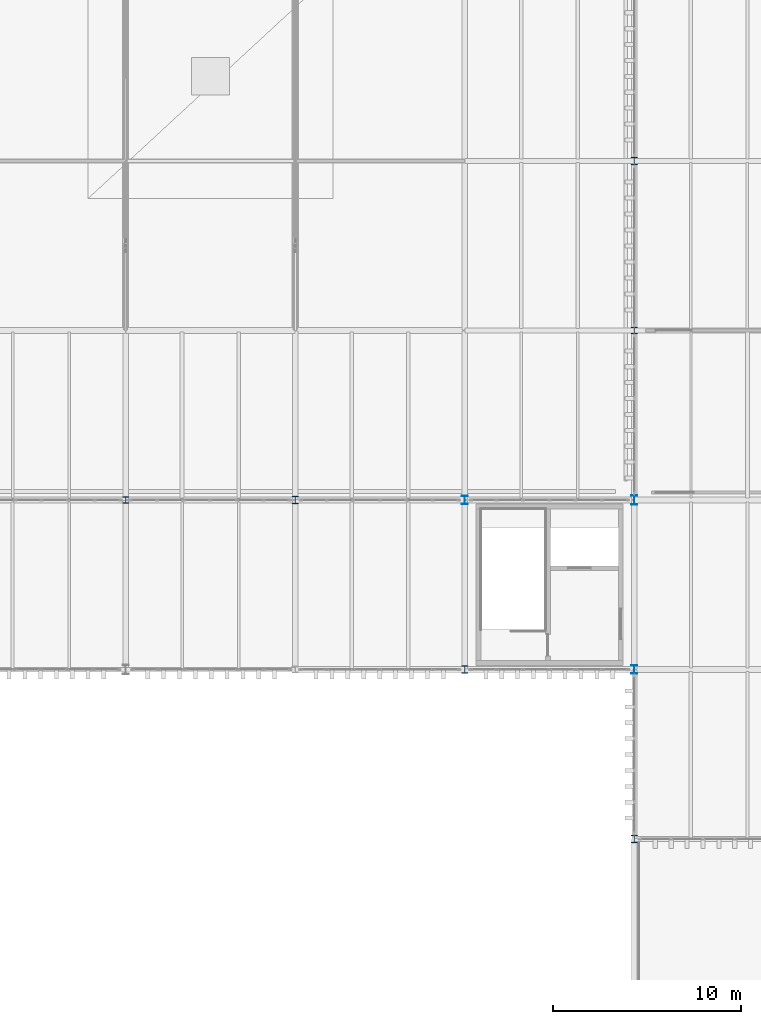
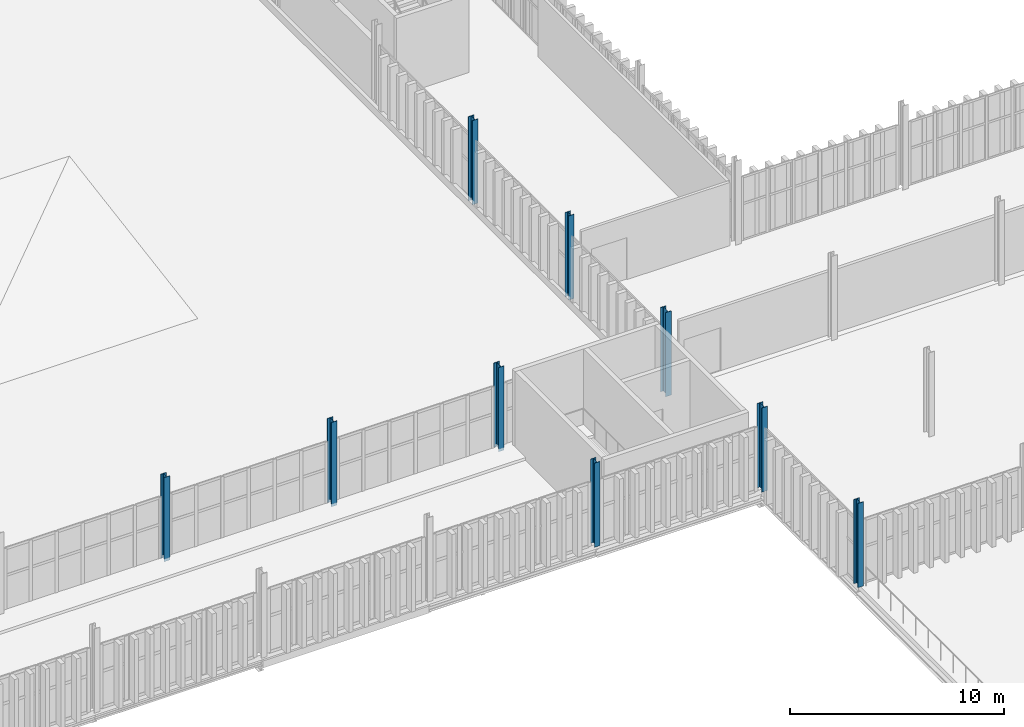
# One storey, part 6 of 196: 9 columns.
"""IFC4 building model written with IfcOpenShell, lengths in metres."""

from ifc_helpers import new_model, si_unit, direction, frame, origin, origin_2d, place, context, subcontext, project, spatial, i_section, extrude, material, material_profile, profile_set, type_object, element, save


model = new_model("IFC4")

# Units and contexts
model_context = context("Model", 3, precision=1e-05, world=origin(), true_north=direction((0.0, 1.0)))
body_context = subcontext(model_context, "Body", "Model", "MODEL_VIEW")
ifc_project = project(units=[si_unit("LENGTHUNIT", "METRE"), si_unit("AREAUNIT", "SQUARE_METRE"), si_unit("VOLUMEUNIT", "CUBIC_METRE"), si_unit("PLANEANGLEUNIT", "RADIAN"), si_unit("MASSUNIT", "GRAM", prefix="KILO")], contexts=[model_context])

# Site, building, storey
site_placement = place(None, origin())
site = spatial("IfcSite", under=ifc_project, at=site_placement, CompositionType="ELEMENT")
building_placement = place(site_placement, origin())
building = spatial("IfcBuilding", under=site, at=building_placement, Name="Barlavento Convention Centre", CompositionType="ELEMENT")
storey_placement = place(building_placement, frame((0.0, 0.0, 18.0)))
storey = spatial("IfcBuildingStorey", under=building, at=storey_placement, Name="L03", CompositionType="ELEMENT", Elevation=18.0)

# Columns
ifc_material = material(Name="Steel S355", Category="steel")
ifc_material_profile_1 = material_profile(ifc_material, i_section(OverallWidth=0.300048828125, OverallDepth=0.340087890625, WebThickness=0.011962890625, FlangeThickness=0.021484375, FilletRadius=0.027099609375, at=origin_2d()), Name="HEB 340")
ifc_profile_set_1 = profile_set([ifc_material_profile_1], Name="Steel S355")
column_type_1 = type_object("IfcColumnType", Name="STR-COL-HEB340", PredefinedType="COLUMN", material=ifc_profile_set_1)
for number, where, z_axis, x_axis, name in (
    (1, (99.0, 54.0, 0.0), (0.0, 0.0, 1.0), (1.0, 0.0, 0.0), "L03 column SC12"),
    (2, (126.0, 63.0, 0.0), (0.0, 0.0, 1.0), (1.0, 0.0, 0.0), "L03 column SC12"),
):
    element("IfcColumn", number, at=place(storey_placement, frame(where, z_axis=z_axis, x_axis=x_axis)), inside=storey, type_object=column_type_1, Name=name, PredefinedType="COLUMN", context=body_context, shape_type="SweptSolid", body=[
        extrude(i_section(OverallWidth=0.300048828125, OverallDepth=0.340087890625, WebThickness=0.011962890625, FlangeThickness=0.021484375, FilletRadius=0.027099609375, at=origin_2d()), origin(), (0.0, 0.0, 1.0), 4.800048828125),
    ])
ifc_material_profile_2 = material_profile(ifc_material, i_section(OverallWidth=0.300048828125, OverallDepth=0.39990234375, WebThickness=0.013427734375, FlangeThickness=0.02392578125, FilletRadius=0.027099609375, at=origin_2d()), Name="HEB 400")
ifc_profile_set_2 = profile_set([ifc_material_profile_2], Name="Steel S355")
column_type_2 = type_object("IfcColumnType", Name="STR-COL-HEB400", PredefinedType="COLUMN", material=ifc_profile_set_2)
for number, where, z_axis, x_axis, name in (
    (3, (108.0, 54.0, 0.0), (0.0, 0.0, 1.0), (1.0, 0.0, 0.0), "L03 column SC11"),
    (4, (117.0, 45.0, 0.0), (0.0, 0.0, 1.0), (1.0, 0.0, 0.0), "L03 column SC11"),
    (5, (126.0, 36.0, 0.0), (0.0, 0.0, 1.0), (1.0, 0.0, 0.0), "L03 column SC11"),
    (6, (126.0, 72.0, 0.0), (0.0, 0.0, 1.0), (1.0, 0.0, 0.0), "L03 column SC11"),
):
    element("IfcColumn", number, at=place(storey_placement, frame(where, z_axis=z_axis, x_axis=x_axis)), inside=storey, type_object=column_type_2, Name=name, PredefinedType="COLUMN", context=body_context, shape_type="SweptSolid", body=[
        extrude(i_section(OverallWidth=0.300048828125, OverallDepth=0.39990234375, WebThickness=0.013427734375, FlangeThickness=0.02392578125, FilletRadius=0.027099609375, at=origin_2d()), origin(), (0.0, 0.0, 1.0), 4.800048828125),
    ])
ifc_material_profile_3 = material_profile(ifc_material, i_section(OverallWidth=0.300048828125, OverallDepth=0.449951171875, WebThickness=0.013916015625, FlangeThickness=0.02587890625, FilletRadius=0.027099609375, at=origin_2d()), Name="HEB 450")
ifc_profile_set_3 = profile_set([ifc_material_profile_3], Name="Steel S355")
column_type_3 = type_object("IfcColumnType", Name="STR-COL-HEB450", PredefinedType="COLUMN", material=ifc_profile_set_3)
for number, where, z_axis, x_axis, name in (
    (7, (117.0, 54.0, 0.0), (0.0, 0.0, 1.0), (1.0, 0.0, 0.0), "L03 column SC10"),
    (8, (126.0, 45.0, 0.0), (0.0, 0.0, 1.0), (1.0, 0.0, 0.0), "L03 column SC10"),
):
    element("IfcColumn", number, at=place(storey_placement, frame(where, z_axis=z_axis, x_axis=x_axis)), inside=storey, type_object=column_type_3, Name=name, PredefinedType="COLUMN", context=body_context, shape_type="SweptSolid", body=[
        extrude(i_section(OverallWidth=0.300048828125, OverallDepth=0.449951171875, WebThickness=0.013916015625, FlangeThickness=0.02587890625, FilletRadius=0.027099609375, at=origin_2d()), origin(), (0.0, 0.0, 1.0), 4.800048828125),
    ])
ifc_material_profile_4 = material_profile(ifc_material, i_section(OverallWidth=0.300048828125, OverallDepth=0.5, WebThickness=0.014404296875, FlangeThickness=0.028076171875, FilletRadius=0.027099609375, at=origin_2d()), Name="HEB 500")
ifc_profile_set_4 = profile_set([ifc_material_profile_4], Name="Steel S355")
column_type_4 = type_object("IfcColumnType", Name="STR-COL-HEB500", PredefinedType="COLUMN", material=ifc_profile_set_4)
column_placement = place(storey_placement, frame((126.0, 54.0, 0.0), z_axis=(0.0, 0.0, 1.0), x_axis=(1.0, 0.0, 0.0)))
element("IfcColumn", 9, at=column_placement, inside=storey, type_object=column_type_4, Name="L03 column SC09", PredefinedType="COLUMN", context=body_context, shape_type="SweptSolid", body=[
    extrude(i_section(OverallWidth=0.300048828125, OverallDepth=0.5, WebThickness=0.014404296875, FlangeThickness=0.028076171875, FilletRadius=0.027099609375, at=origin_2d()), origin(), (0.0, 0.0, 1.0), 4.800048828125),
])

save(model, "model.ifc")
